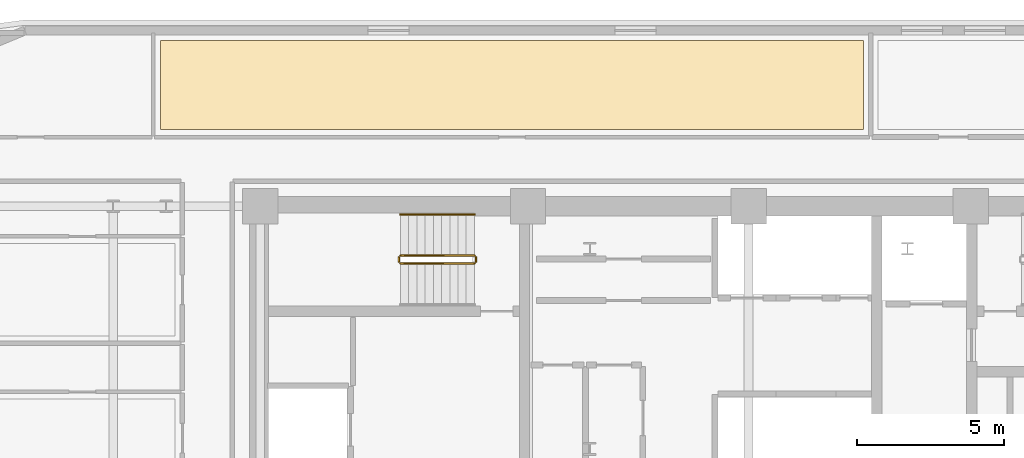
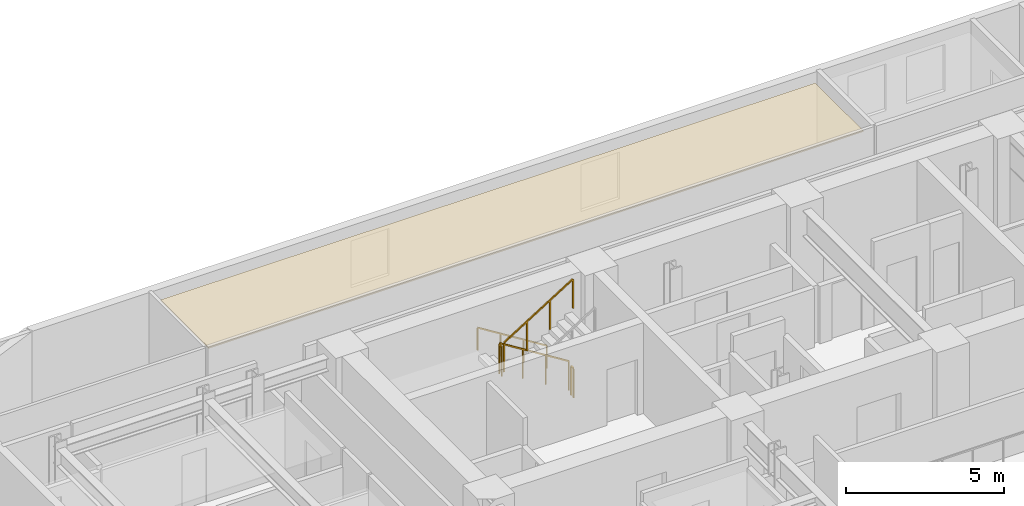
# One storey, part 15 of 16: 5 railings, 1 covering.
"""IFC4 building model written with IfcOpenShell, lengths in metres."""

from ifc_helpers import new_model, si_unit, direction, frame, origin, origin_2d, place, context, subcontext, project, spatial, polyline, rectangle, outline, extrude, material, layer, layer_set, type_object, element, save


model = new_model("IFC4")

# Units and contexts
model_context = context("Model", 3, precision=1e-05, world=origin(), true_north=direction((0.0, 1.0)))
body_context = subcontext(model_context, "Body", "Model", "MODEL_VIEW")
ifc_project = project(units=[si_unit("LENGTHUNIT", "METRE"), si_unit("AREAUNIT", "SQUARE_METRE"), si_unit("VOLUMEUNIT", "CUBIC_METRE"), si_unit("PLANEANGLEUNIT", "RADIAN"), si_unit("MASSUNIT", "GRAM", prefix="KILO")], contexts=[model_context])

# Site, building, storey
site_placement = place(None, origin())
site = spatial("IfcSite", under=ifc_project, at=site_placement, CompositionType="ELEMENT")
building_placement = place(site_placement, origin())
building = spatial("IfcBuilding", under=site, at=building_placement, Name="Zarnavel Station Tower", CompositionType="ELEMENT")
storey_placement = place(building_placement, frame((0.0, 0.0, 104.800048828125)))
storey = spatial("IfcBuildingStorey", under=building, at=storey_placement, Name="L28", CompositionType="ELEMENT", Elevation=104.800048828125)

# Covering
ifc_material_1 = material(Name="Perforated Gypsum and Mineral-Wool Acoustic Ceiling", Category="concrete")
ifc_layer = layer(ifc_material_1, 0.0400390625)
ifc_layer_set = layer_set([ifc_layer], Name="COV_CEIL_ACOUSTIC")
covering_type = type_object("IfcCoveringType", Name="COV_CEIL_ACOUSTIC", PredefinedType="CEILING", material=ifc_layer_set)
covering_placement = place(storey_placement, frame((0.0, 0.0, 2.919921875)))
element("IfcCovering", 1, at=covering_placement, inside=storey, type_object=covering_type, Name="L28 NCLB Acoustic Ceiling", PredefinedType="CEILING", context=body_context, shape_type="SweptSolid", body=[
    extrude(outline(polyline([(8.81005859375, 39.64990234375), (32.699951171875, 39.64990234375), (32.699951171875, 42.68994140625), (8.81005859375, 42.68994140625), (8.81005859375, 39.64990234375)])), origin(), (0.0, 0.0, 1.0), 0.0400390625),
])

# Railings
ifc_material_2 = material(Name="Painted Steel S355J2 Balustrade", Category="steel")
railing_type_1 = type_object("IfcRailingType", Name="GR_INT_1150", PredefinedType="GUARDRAIL", material=ifc_material_2)
railing_1_placement = place(storey_placement, frame((19.47998046875, 35.3701171875, 0.175048828125)))
element("IfcRailing", 2, at=railing_1_placement, inside=storey, type_object=railing_type_1, Name="L28 ST1 stair guard 1", PredefinedType="GUARDRAIL", context=body_context, shape_type="SweptSolid", body=[
    extrude(rectangle(XDim=0.048095703125, YDim=0.048095703125, at=origin_2d()), frame((-0.001708984375, 0.0, 1.126953125), z_axis=(-0.848007534815, 0.0, 0.529984170421), x_axis=(0.0, -1.0, 0.0)), (0.0, 0.0, 1.0), 2.9677734375),
    extrude(rectangle(XDim=0.0419921875, YDim=0.0419921875, at=origin_2d()), origin(), (0.0, 0.0, 1.0), 1.101806640625),
    extrude(rectangle(XDim=0.0419921875, YDim=0.0419921875, at=origin_2d()), frame((-0.840087890625, 0.0, 0.52490234375)), (0.0, 0.0, 1.0), 1.101806640625),
    extrude(rectangle(XDim=0.0419921875, YDim=0.0419921875, at=origin_2d()), frame((-1.679931640625, 0.0, 1.050048828125)), (0.0, 0.0, 1.0), 1.101806640625),
    extrude(rectangle(XDim=0.0419921875, YDim=0.0419921875, at=origin_2d()), frame((-2.52001953125, 0.0, 1.574951171875)), (0.0, 0.0, 1.0), 1.101806640625),
])
railing_2_placement = place(storey_placement, frame((16.909912109375, 35.320068359375, 1.75)))
element("IfcRailing", 3, at=railing_2_placement, inside=storey, type_object=railing_type_1, Name="L28 ST1 stair guard 2", PredefinedType="GUARDRAIL", context=body_context, shape_type="SweptSolid", body=[
    extrude(rectangle(XDim=0.048095703125, YDim=0.048095703125, at=origin_2d()), frame((0.0, -0.001953125, 1.1259765625), z_axis=(0.0, -1.0, 0.0), x_axis=(1.0, 0.0, 0.0)), (0.0, 0.0, 1.0), 0.15625),
    extrude(rectangle(XDim=0.0419921875, YDim=0.0419921875, at=origin_2d()), origin(), (0.0, 0.0, 1.0), 1.101806640625),
    extrude(rectangle(XDim=0.0419921875, YDim=0.0419921875, at=origin_2d()), frame((0.0, -0.16015625, 0.0)), (0.0, 0.0, 1.0), 1.101806640625),
])
railing_3_placement = place(storey_placement, frame((16.9599609375, 35.110107421875, 1.925048828125)))
element("IfcRailing", 4, at=railing_3_placement, inside=storey, type_object=railing_type_1, Name="L28 ST1 stair guard 3", PredefinedType="GUARDRAIL", context=body_context, shape_type="SweptSolid", body=[
    extrude(rectangle(XDim=0.048095703125, YDim=0.048095703125, at=origin_2d()), frame((0.001708984375, 0.0, 1.126953125), z_axis=(0.848007534815, 0.0, 0.529984170421), x_axis=(0.0, 1.0, 0.0)), (0.0, 0.0, 1.0), 2.9677734375),
    extrude(rectangle(XDim=0.0419921875, YDim=0.0419921875, at=origin_2d()), origin(), (0.0, 0.0, 1.0), 1.101806640625),
    extrude(rectangle(XDim=0.0419921875, YDim=0.0419921875, at=origin_2d()), frame((0.840087890625, 0.0, 0.52490234375)), (0.0, 0.0, 1.0), 1.101806640625),
    extrude(rectangle(XDim=0.0419921875, YDim=0.0419921875, at=origin_2d()), frame((1.679931640625, 0.0, 1.050048828125)), (0.0, 0.0, 1.0), 1.101806640625),
    extrude(rectangle(XDim=0.0419921875, YDim=0.0419921875, at=origin_2d()), frame((2.52001953125, 0.0, 1.574951171875)), (0.0, 0.0, 1.0), 1.101806640625),
])
railing_4_placement = place(storey_placement, frame((19.530029296875, 35.320068359375, 0.0)))
element("IfcRailing", 5, at=railing_4_placement, inside=storey, type_object=railing_type_1, Name="L28 ST1 stair guard 4", PredefinedType="GUARDRAIL", context=body_context, shape_type="SweptSolid", body=[
    extrude(rectangle(XDim=0.048095703125, YDim=0.048095703125, at=origin_2d()), frame((0.0, -0.001953125, 1.1259765625), z_axis=(0.0, -1.0, 0.0), x_axis=(1.0, 0.0, 0.0)), (0.0, 0.0, 1.0), 0.15625),
    extrude(rectangle(XDim=0.0419921875, YDim=0.0419921875, at=origin_2d()), origin(), (0.0, 0.0, 1.0), 1.101806640625),
    extrude(rectangle(XDim=0.0419921875, YDim=0.0419921875, at=origin_2d()), frame((0.0, -0.16015625, 0.0)), (0.0, 0.0, 1.0), 1.101806640625),
])
ifc_material_3 = material(Name="Brushed Stainless Steel S355J2 Handrail", Category="steel")
railing_type_2 = type_object("IfcRailingType", Name="HR_STAIR_900", PredefinedType="HANDRAIL", material=ifc_material_3)
railing_5_placement = place(storey_placement, frame((19.47998046875, 36.77001953125, 0.175048828125)))
element("IfcRailing", 6, at=railing_5_placement, inside=storey, type_object=railing_type_2, Name="L28 ST1 stair handrail 1", PredefinedType="HANDRAIL", context=body_context, shape_type="SweptSolid", body=[
    extrude(rectangle(XDim=0.048095703125, YDim=0.048095703125, at=origin_2d()), frame((-0.001708984375, 0.0, 0.876953125), z_axis=(-0.848007534815, 0.0, 0.529984170421), x_axis=(0.0, -1.0, 0.0)), (0.0, 0.0, 1.0), 2.9677734375),
    extrude(rectangle(XDim=0.0419921875, YDim=0.0419921875, at=origin_2d()), origin(), (0.0, 0.0, 1.0), 0.851806640625),
    extrude(rectangle(XDim=0.0419921875, YDim=0.0419921875, at=origin_2d()), frame((-0.840087890625, 0.0, 0.52490234375)), (0.0, 0.0, 1.0), 0.851806640625),
    extrude(rectangle(XDim=0.0419921875, YDim=0.0419921875, at=origin_2d()), frame((-1.679931640625, 0.0, 1.050048828125)), (0.0, 0.0, 1.0), 0.851806640625),
    extrude(rectangle(XDim=0.0419921875, YDim=0.0419921875, at=origin_2d()), frame((-2.52001953125, 0.0, 1.574951171875)), (0.0, 0.0, 1.0), 0.851806640625),
])

save(model, "model.ifc")
